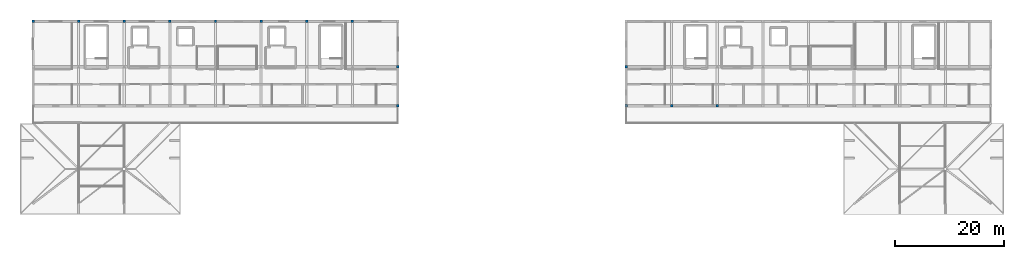
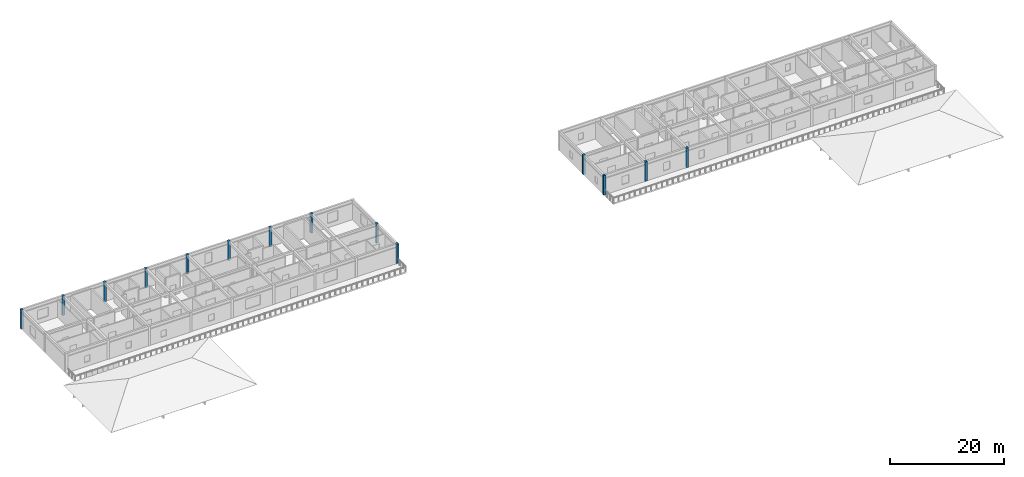
# One storey, part 3 of 22: 14 columns.
"""IFC4 building model written with IfcOpenShell, lengths in metres."""

from ifc_helpers import new_model, si_unit, direction, frame, origin, origin_2d, place, context, subcontext, project, spatial, rectangle, extrude, material, material_profile, profile_set, type_object, element, save


model = new_model("IFC4")

# Units and contexts
model_context = context("Model", 3, precision=1e-05, world=origin(), true_north=direction((0.0, 1.0)))
body_context = subcontext(model_context, "Body", "Model", "MODEL_VIEW")
ifc_project = project(units=[si_unit("LENGTHUNIT", "METRE"), si_unit("AREAUNIT", "SQUARE_METRE"), si_unit("VOLUMEUNIT", "CUBIC_METRE"), si_unit("PLANEANGLEUNIT", "RADIAN"), si_unit("MASSUNIT", "GRAM", prefix="KILO")], contexts=[model_context])

# Site, building, storey
site_placement = place(None, origin())
site = spatial("IfcSite", under=ifc_project, at=site_placement, CompositionType="ELEMENT")
building_placement = place(site_placement, origin())
building = spatial("IfcBuilding", under=site, at=building_placement, Name="Varncliffe General Hospital", CompositionType="ELEMENT")
storey_placement = place(building_placement, frame((0.0, 0.0, 33.0)))
storey = spatial("IfcBuildingStorey", under=building, at=storey_placement, Name="L07", CompositionType="ELEMENT", Elevation=33.0)

# Columns
ifc_material = material(Name="Concrete C40/50 (CSA A23.1 40 MPa)", Category="concrete")
ifc_material_profile = material_profile(ifc_material, rectangle(XDim=0.449951171875, YDim=0.449951171875, at=origin_2d()), Name="RC 450x450")
ifc_profile_set = profile_set([ifc_material_profile], Name="Concrete C40/50 (CSA A23.1 40 MPa)")
column_type = type_object("IfcColumnType", Name="Column C73 (Ext RC 450x450)", PredefinedType="COLUMN", material=ifc_profile_set)
for number, where, z_axis, x_axis, name in (
    (1, (0.0, 124.800048828125, 0.0), (0.0, 0.0, 1.0), (1.0, 0.0, 0.0), "L07 Column C73"),
    (2, (8.39990234375, 124.800048828125, 0.0), (0.0, 0.0, 1.0), (1.0, 0.0, 0.0), "L07 Column C73"),
    (3, (16.800048828125, 124.800048828125, 0.0), (0.0, 0.0, 1.0), (1.0, 0.0, 0.0), "L07 Column C73"),
    (4, (25.199951171875, 124.800048828125, 0.0), (0.0, 0.0, 1.0), (1.0, 0.0, 0.0), "L07 Column C73"),
    (5, (33.60009765625, 124.800048828125, 0.0), (0.0, 0.0, 1.0), (1.0, 0.0, 0.0), "L07 Column C73"),
    (6, (42.0, 124.800048828125, 0.0), (0.0, 0.0, 1.0), (1.0, 0.0, 0.0), "L07 Column C73"),
    (7, (50.39990234375, 124.800048828125, 0.0), (0.0, 0.0, 1.0), (1.0, 0.0, 0.0), "L07 Column C73"),
    (8, (58.800048828125, 124.800048828125, 0.0), (0.0, 0.0, 1.0), (1.0, 0.0, 0.0), "L07 Column C73"),
    (9, (67.199951171875, 109.199951171875, 0.0), (0.0, 0.0, 1.0), (1.0, 0.0, 0.0), "L07 Column C73"),
    (10, (67.199951171875, 116.39990234375, 0.0), (0.0, 0.0, 1.0), (1.0, 0.0, 0.0), "L07 Column C73"),
    (11, (109.199951171875, 109.199951171875, 0.0), (0.0, 0.0, 1.0), (1.0, 0.0, 0.0), "L07 Column C73"),
    (12, (109.199951171875, 116.39990234375, 0.0), (0.0, 0.0, 1.0), (1.0, 0.0, 0.0), "L07 Column C73"),
    (13, (117.60009765625, 109.199951171875, 0.0), (0.0, 0.0, 1.0), (1.0, 0.0, 0.0), "L07 Column C73"),
    (14, (126.0, 109.199951171875, 0.0), (0.0, 0.0, 1.0), (1.0, 0.0, 0.0), "L07 Column C73"),
):
    element("IfcColumn", number, at=place(storey_placement, frame(where, z_axis=z_axis, x_axis=x_axis)), inside=storey, type_object=column_type, Name=name, PredefinedType="COLUMN", context=body_context, shape_type="SweptSolid", body=[
        extrude(rectangle(XDim=0.449951171875, YDim=0.449951171875, at=origin_2d()), origin(), (0.0, 0.0, 1.0), 4.199951171875),
    ])

save(model, "model.ifc")
